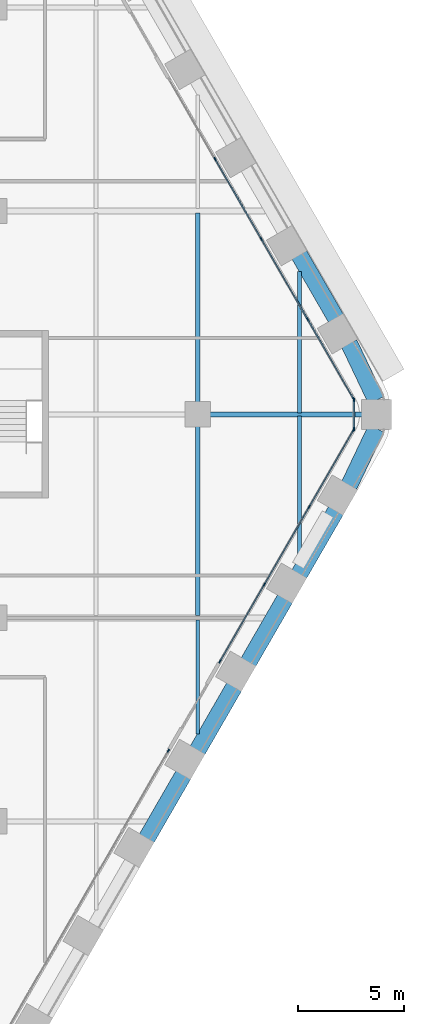
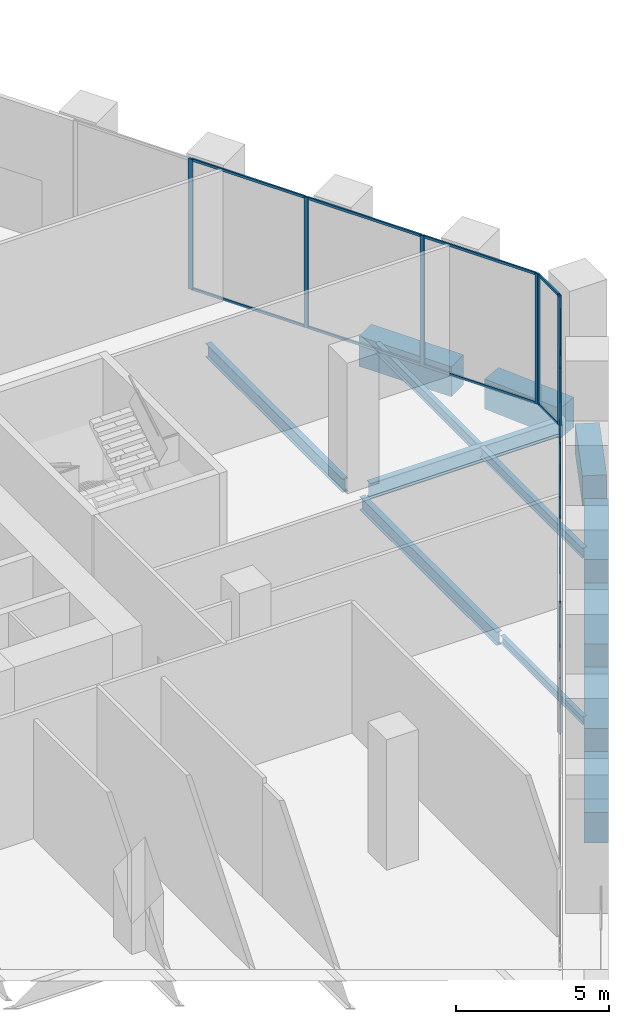
# One storey, part 11 of 27: 25 members, 13 beams, 4 elements without a shape of their own.
"""IFC4 building model written with IfcOpenShell, lengths in metres."""

from ifc_helpers import new_model, si_unit, direction, frame, origin, origin_2d, place, context, subcontext, project, spatial, rectangle, i_section, extrude, material, material_profile, profile_set, type_object, element, aggregate, save


model = new_model("IFC4")

# Units and contexts
model_context = context("Model", 3, precision=1e-05, world=origin(), true_north=direction((0.0, 1.0)))
body_context = subcontext(model_context, "Body", "Model", "MODEL_VIEW")
ifc_project = project(units=[si_unit("LENGTHUNIT", "METRE"), si_unit("AREAUNIT", "SQUARE_METRE"), si_unit("VOLUMEUNIT", "CUBIC_METRE"), si_unit("PLANEANGLEUNIT", "RADIAN"), si_unit("MASSUNIT", "GRAM", prefix="KILO")], contexts=[model_context])

# Site, building, storey
site_placement = place(None, origin())
site = spatial("IfcSite", under=ifc_project, at=site_placement, CompositionType="ELEMENT")
building_placement = place(site_placement, origin())
building = spatial("IfcBuilding", under=site, at=building_placement, Name="Kolab Exchange Tower", CompositionType="ELEMENT")
storey_placement = place(building_placement, frame((0.0, 0.0, 66.39990234375)))
storey = spatial("IfcBuildingStorey", under=building, at=storey_placement, Name="L12", CompositionType="ELEMENT", Elevation=66.39990234375)

# Beams
ifc_material_1 = material(Name="Steel S355", Category="steel")
ifc_material_profile_1 = material_profile(ifc_material_1, i_section(OverallWidth=0.1650390625, OverallDepth=0.31005859375, WebThickness=0.005859375, FlangeThickness=0.009765625, at=origin_2d()), Name="W310X39")
ifc_profile_set_1 = profile_set([ifc_material_profile_1], Name="Steel S355")
beam_type_1 = type_object("IfcBeamType", Name="FLOOR BEAM W310X39", PredefinedType="BEAM", material=ifc_profile_set_1)
beam_1_placement = place(storey_placement, frame((28.800048828125, -15.067626953125, -0.454833984375), z_axis=(0.0, 1.0, 0.0), x_axis=(-1.0, 0.0, 0.0)))
element("IfcBeam", 1, at=beam_1_placement, inside=storey, type_object=beam_type_1, Name="beam/L12/fr/058", PredefinedType="BEAM", context=body_context, shape_type="SweptSolid", body=[
    extrude(i_section(OverallWidth=0.1650390625, OverallDepth=0.31005859375, WebThickness=0.005859375, FlangeThickness=0.009765625, at=origin_2d()), origin(), (0.0, 0.0, 1.0), 5.361572265625),
])
ifc_material_profile_2 = material_profile(ifc_material_1, i_section(OverallWidth=0.177978515625, OverallDepth=0.406982421875, WebThickness=0.0078125, FlangeThickness=0.0126953125, at=origin_2d()), Name="W410X60")
ifc_profile_set_2 = profile_set([ifc_material_profile_2], Name="Steel S355")
beam_type_2 = type_object("IfcBeamType", Name="FLOOR BEAM W410X60", PredefinedType="BEAM", material=ifc_profile_set_2)
for number, where, z_axis, x_axis, name in (
    (2, (33.60009765625, -6.75390625, -0.50341796875), (0.0, 1.0, 0.0), (-1.0, 0.0, 0.0), "beam/L12/fr/062"),
    (3, (33.60009765625, 0.073974609375, -0.50341796875), (0.0, 1.0, 0.0), (-1.0, 0.0, 0.0), "beam/L12/fr/063"),
):
    element("IfcBeam", number, at=place(storey_placement, frame(where, z_axis=z_axis, x_axis=x_axis)), inside=storey, type_object=beam_type_2, Name=name, PredefinedType="BEAM", context=body_context, shape_type="SweptSolid", body=[
        extrude(i_section(OverallWidth=0.177978515625, OverallDepth=0.406982421875, WebThickness=0.0078125, FlangeThickness=0.0126953125, at=origin_2d()), origin(), (0.0, 0.0, 1.0), 6.679931640625),
    ])
ifc_material_profile_3 = material_profile(ifc_material_1, i_section(OverallWidth=0.208984375, OverallDepth=0.532958984375, WebThickness=0.01025390625, FlangeThickness=0.015625, at=origin_2d()), Name="W530X92")
ifc_profile_set_3 = profile_set([ifc_material_profile_3], Name="Steel S355")
beam_type_3 = type_object("IfcBeamType", Name="FLOOR BEAM W530X92", PredefinedType="BEAM", material=ifc_profile_set_3)
for number, where, z_axis, x_axis, name in (
    (4, (28.800048828125, -9.493896484375, -0.56640625), (0.0, 1.0, 0.0), (-1.0, 0.0, 0.0), "beam/L12/fr/059"),
    (5, (28.800048828125, 0.56005859375, -0.56640625), (0.0, 1.0, 0.0), (-1.0, 0.0, 0.0), "beam/L12/fr/060"),
):
    element("IfcBeam", number, at=place(storey_placement, frame(where, z_axis=z_axis, x_axis=x_axis)), inside=storey, type_object=beam_type_3, Name=name, PredefinedType="BEAM", context=body_context, shape_type="SweptSolid", body=[
        extrude(i_section(OverallWidth=0.208984375, OverallDepth=0.532958984375, WebThickness=0.01025390625, FlangeThickness=0.015625, at=origin_2d()), origin(), (0.0, 0.0, 1.0), 8.933837890625),
    ])
ifc_material_profile_4 = material_profile(ifc_material_1, i_section(OverallWidth=0.22802734375, OverallDepth=0.60791015625, WebThickness=0.01123046875, FlangeThickness=0.017333984375, at=origin_2d()), Name="W610X113")
ifc_profile_set_4 = profile_set([ifc_material_profile_4], Name="Steel S355")
beam_type_4 = type_object("IfcBeamType", Name="FLOOR GIRDER W610X113", PredefinedType="BEAM", material=ifc_profile_set_4)
beam_2_placement = place(storey_placement, frame((29.360107421875, 0.0, -0.60400390625), z_axis=(1.0, 0.0, 0.0), x_axis=(0.0, 1.0, 0.0)))
element("IfcBeam", 6, at=beam_2_placement, inside=storey, type_object=beam_type_4, Name="beam/L12/gd/025", PredefinedType="BEAM", context=body_context, shape_type="SweptSolid", body=[
    extrude(i_section(OverallWidth=0.22802734375, OverallDepth=0.60791015625, WebThickness=0.01123046875, FlangeThickness=0.017333984375, at=origin_2d()), origin(), (0.0, 0.0, 1.0), 7.2158203125),
])
ifc_material_2 = material(Name="Concrete C80/95", Category="concrete")
ifc_material_profile_5 = material_profile(ifc_material_2, rectangle(XDim=0.800048828125, YDim=1.199951171875, at=origin_2d()), Name="RC800X1200")
ifc_profile_set_5 = profile_set([ifc_material_profile_5], Name="Concrete C80/95")
beam_type_5 = type_object("IfcBeamType", Name="SPANDREL BEAM 800X1200 C80/95", PredefinedType="BEAM", material=ifc_profile_set_5)
beam_3_placement = place(storey_placement, frame((33.58349609375, 7.542236328125, -0.89990234375), z_axis=(0.500009906705, -0.86601968407, 0.0), x_axis=(0.86601968407, 0.500009906705, 0.0)))
element("IfcBeam", 7, at=beam_3_placement, inside=storey, type_object=beam_type_5, Name="beam/L12/sp/F2-07", PredefinedType="BEAM", context=body_context, shape_type="SweptSolid", body=[
    extrude(rectangle(XDim=0.800048828125, YDim=1.199951171875, at=origin_2d()), origin(), (0.0, 0.0, 1.0), 3.47998046875),
])
for number, where, z_axis, x_axis, name in (
    (8, (35.93798828125, 3.35888671875, -0.89990234375), (0.429555669245, -0.903040379507, 0.0), (0.903040379507, 0.429555669245, 0.0), "beam/L12/sp/F2-08"),
    (9, (37.219970703125, -0.663818359375, -0.89990234375), (-0.429555669245, -0.903040379507, 0.0), (0.903040379507, -0.429555669245, 0.0), "beam/L12/sp/F3-01"),
):
    element("IfcBeam", number, at=place(storey_placement, frame(where, z_axis=z_axis, x_axis=x_axis)), inside=storey, type_object=beam_type_5, Name=name, PredefinedType="BEAM", context=body_context, shape_type="SweptSolid", body=[
        extrude(rectangle(XDim=0.800048828125, YDim=1.199951171875, at=origin_2d()), origin(), (0.0, 0.0, 1.0), 2.984375),
    ])
beam_4_placement = place(storey_placement, frame((35.323486328125, -4.528564453125, -0.89990234375), z_axis=(-0.500009906705, -0.86601968407, 0.0), x_axis=(0.86601968407, -0.500009906705, 0.0)))
element("IfcBeam", 10, at=beam_4_placement, inside=storey, type_object=beam_type_5, Name="beam/L12/sp/F3-02", PredefinedType="BEAM", context=body_context, shape_type="SweptSolid", body=[
    extrude(rectangle(XDim=0.800048828125, YDim=1.199951171875, at=origin_2d()), origin(), (0.0, 0.0, 1.0), 3.47998046875),
])
for number, where, z_axis, x_axis, name in (
    (11, (32.923583984375, -8.685302734375, -0.89990234375), (-0.499979528911, -0.866037222451, 0.0), (0.866037222451, -0.499979528911, 0.0), "beam/L12/sp/F3-03"),
    (12, (30.523681640625, -12.84228515625, -0.89990234375), (-0.499979528911, -0.866037222451, 0.0), (0.866037222451, -0.499979528911, 0.0), "beam/L12/sp/F3-04"),
):
    element("IfcBeam", number, at=place(storey_placement, frame(where, z_axis=z_axis, x_axis=x_axis)), inside=storey, type_object=beam_type_5, Name=name, PredefinedType="BEAM", context=body_context, shape_type="SweptSolid", body=[
        extrude(rectangle(XDim=0.800048828125, YDim=1.199951171875, at=origin_2d()), origin(), (0.0, 0.0, 1.0), 3.480224609375),
    ])
beam_5_placement = place(storey_placement, frame((28.12353515625, -16.999267578125, -0.89990234375), z_axis=(-0.500009906705, -0.86601968407, 0.0), x_axis=(0.86601968407, -0.500009906705, 0.0)))
element("IfcBeam", 13, at=beam_5_placement, inside=storey, type_object=beam_type_5, Name="beam/L12/sp/F3-05", PredefinedType="BEAM", context=body_context, shape_type="SweptSolid", body=[
    extrude(rectangle(XDim=0.800048828125, YDim=1.199951171875, at=origin_2d()), origin(), (0.0, 0.0, 1.0), 3.47998046875),
])

# Curtain wall, members
ifc_material_3 = material(Name="Aluminium EN AW-6063 T6", Category="aluminium")
curtain_wall_type = type_object("IfcCurtainWallType", Name="UNITISED LOW ZONE CURTAIN WALL", PredefinedType="NOTDEFINED", material=ifc_material_3)
curtain_wall_1_placement = place(storey_placement, origin())
curtain_wall_1 = element("IfcCurtainWall", 14, at=curtain_wall_1_placement, inside=storey, type_object=curtain_wall_type, Name="cw/L12/F2-2", PredefinedType="NOTDEFINED")
ifc_material_profile_6 = material_profile(ifc_material_3, rectangle(XDim=0.06005859375, YDim=0.159912109375, at=origin_2d()), Name="RECT 60X160")
ifc_profile_set_6 = profile_set([ifc_material_profile_6], Name="Aluminium EN AW-6063 T6")
member_type_1 = type_object("IfcMemberType", Name="UNITISED LOW ZONE MULLION 60 X 160", PredefinedType="MULLION", material=ifc_profile_set_6)
member_1_placement = place(storey_placement, frame((29.615234375, 12.0556640625, 0.0), z_axis=(0.0, 0.0, 1.0), x_axis=(0.866025422102, 0.499999968274, 0.0)))
member_1 = element("IfcMember", 15, at=member_1_placement, type_object=member_type_1, Name="CW1 mullion 2", PredefinedType="MULLION", context=body_context, shape_type="SweptSolid", body=[
    extrude(rectangle(XDim=0.06005859375, YDim=0.159912109375, at=origin_2d()), origin(), (0.0, 0.0, 1.0), 5.2001953125),
])
member_2_placement = place(storey_placement, frame((31.798583984375, 8.27392578125, 0.0), z_axis=(0.0, 0.0, 1.0), x_axis=(0.866025422102, 0.499999968274, 0.0)))
member_2 = element("IfcMember", 16, at=member_2_placement, type_object=member_type_1, Name="CW1 mullion 3", PredefinedType="MULLION", context=body_context, shape_type="SweptSolid", body=[
    extrude(rectangle(XDim=0.06005859375, YDim=0.159912109375, at=origin_2d()), origin(), (0.0, 0.0, 1.0), 5.2001953125),
])
member_3_placement = place(storey_placement, frame((33.982177734375, 4.491943359375, 0.0), z_axis=(0.0, 0.0, 1.0), x_axis=(0.866025422102, 0.499999968274, 0.0)))
member_3 = element("IfcMember", 17, at=member_3_placement, type_object=member_type_1, Name="CW1 mullion 4", PredefinedType="MULLION", context=body_context, shape_type="SweptSolid", body=[
    extrude(rectangle(XDim=0.06005859375, YDim=0.159912109375, at=origin_2d()), origin(), (0.0, 0.0, 1.0), 5.2001953125),
])
member_4_placement = place(storey_placement, frame((36.150634765625, 0.736083984375, 0.0), z_axis=(0.0, 0.0, 1.0), x_axis=(0.866025422102, 0.499999968274, 0.0)))
member_4 = element("IfcMember", 18, at=member_4_placement, type_object=member_type_1, Name="CW1 mullion 5", PredefinedType="MULLION", context=body_context, shape_type="SweptSolid", body=[
    extrude(rectangle(XDim=0.06005859375, YDim=0.159912109375, at=origin_2d()), origin(), (0.0, 0.0, 1.0), 5.2001953125),
])

curtain_wall_2_placement = place(storey_placement, origin())
curtain_wall_2 = element("IfcCurtainWall", 19, at=curtain_wall_2_placement, inside=storey, type_object=curtain_wall_type, Name="cw/L12/F3-1", PredefinedType="NOTDEFINED")
member_5_placement = place(storey_placement, frame((36.150634765625, -0.736083984375, 0.0), z_axis=(0.0, 0.0, 1.0), x_axis=(0.866025427826, -0.499999958358, 0.0)))
member_5 = element("IfcMember", 20, at=member_5_placement, type_object=member_type_1, Name="CW1 mullion 1", PredefinedType="MULLION", context=body_context, shape_type="SweptSolid", body=[
    extrude(rectangle(XDim=0.06005859375, YDim=0.159912109375, at=origin_2d()), origin(), (0.0, 0.0, 1.0), 5.2001953125),
])
member_6_placement = place(storey_placement, frame((34.054443359375, -4.366943359375, 0.0), z_axis=(0.0, 0.0, 1.0), x_axis=(0.866025427826, -0.499999958358, 0.0)))
member_6 = element("IfcMember", 21, at=member_6_placement, type_object=member_type_1, Name="CW1 mullion 2", PredefinedType="MULLION", context=body_context, shape_type="SweptSolid", body=[
    extrude(rectangle(XDim=0.06005859375, YDim=0.159912109375, at=origin_2d()), origin(), (0.0, 0.0, 1.0), 5.2001953125),
])
member_7_placement = place(storey_placement, frame((31.943115234375, -8.02392578125, 0.0), z_axis=(0.0, 0.0, 1.0), x_axis=(0.866025427826, -0.499999958358, 0.0)))
member_7 = element("IfcMember", 22, at=member_7_placement, type_object=member_type_1, Name="CW1 mullion 3", PredefinedType="MULLION", context=body_context, shape_type="SweptSolid", body=[
    extrude(rectangle(XDim=0.06005859375, YDim=0.159912109375, at=origin_2d()), origin(), (0.0, 0.0, 1.0), 5.2001953125),
])
member_8_placement = place(storey_placement, frame((29.8466796875, -11.65478515625, 0.0), z_axis=(0.0, 0.0, 1.0), x_axis=(0.866025427826, -0.499999958358, 0.0)))
member_8 = element("IfcMember", 23, at=member_8_placement, type_object=member_type_1, Name="CW1 mullion 4", PredefinedType="MULLION", context=body_context, shape_type="SweptSolid", body=[
    extrude(rectangle(XDim=0.06005859375, YDim=0.159912109375, at=origin_2d()), origin(), (0.0, 0.0, 1.0), 5.2001953125),
])

# Curtain wall, member
curtain_wall_3_placement = place(storey_placement, origin())
curtain_wall_3 = element("IfcCurtainWall", 24, at=curtain_wall_3_placement, inside=storey, type_object=curtain_wall_type, Name="cw/L12/F3-2", PredefinedType="NOTDEFINED")
member_9_placement = place(storey_placement, frame((27.416748046875, -15.86376953125, 0.0), z_axis=(0.0, 0.0, 1.0), x_axis=(0.866025397318, -0.5000000112, 0.0)))
member_9 = element("IfcMember", 25, at=member_9_placement, type_object=member_type_1, Name="CW1 mullion 1", PredefinedType="MULLION", context=body_context, shape_type="SweptSolid", body=[
    extrude(rectangle(XDim=0.06005859375, YDim=0.159912109375, at=origin_2d()), origin(), (0.0, 0.0, 1.0), 5.2001953125),
])
aggregate(curtain_wall_3, [member_9])

# Curtain wall, members
curtain_wall_4_placement = place(storey_placement, origin())
curtain_wall_4 = element("IfcCurtainWall", 26, at=curtain_wall_4_placement, inside=storey, type_object=curtain_wall_type, Name="cw/L12/F2F3-corner", PredefinedType="NOTDEFINED")
member_10_placement = place(storey_placement, frame((36.165771484375, 0.679931640625, 0.0), z_axis=(0.0, 0.0, 1.0), x_axis=(1.0, 0.0, 0.0)))
member_10 = element("IfcMember", 27, at=member_10_placement, type_object=member_type_1, Name="CW1 mullion 1", PredefinedType="MULLION", context=body_context, shape_type="SweptSolid", body=[
    extrude(rectangle(XDim=0.06005859375, YDim=0.159912109375, at=origin_2d()), origin(), (0.0, 0.0, 1.0), 5.2001953125),
])
member_11_placement = place(storey_placement, frame((36.165771484375, -0.679931640625, 0.0), z_axis=(0.0, 0.0, 1.0), x_axis=(1.0, 0.0, 0.0)))
member_11 = element("IfcMember", 28, at=member_11_placement, type_object=member_type_1, Name="CW1 mullion 2", PredefinedType="MULLION", context=body_context, shape_type="SweptSolid", body=[
    extrude(rectangle(XDim=0.06005859375, YDim=0.159912109375, at=origin_2d()), origin(), (0.0, 0.0, 1.0), 5.2001953125),
])

# Member
ifc_material_profile_7 = material_profile(ifc_material_3, rectangle(XDim=0.06005859375, YDim=0.10009765625, at=origin_2d()), Name="RECT 60X100")
ifc_profile_set_7 = profile_set([ifc_material_profile_7], Name="Aluminium EN AW-6063 T6")
member_type_2 = type_object("IfcMemberType", Name="UNITISED LOW ZONE TRANSOM 60 X 100", PredefinedType="USERDEFINED", material=ifc_profile_set_7)
member_12_placement = place(storey_placement, frame((29.630126953125, 12.02978515625, 0.030029296875), z_axis=(0.500010313095, -0.866019449435, 0.0), x_axis=(0.866019449435, 0.500010313095, 0.0)))
member_12 = element("IfcMember", 29, at=member_12_placement, type_object=member_type_2, Name="CW1 transom 2.1", ObjectType="TRANSOM", PredefinedType="USERDEFINED", context=body_context, shape_type="SweptSolid", body=[
    extrude(rectangle(XDim=0.06005859375, YDim=0.10009765625, at=origin_2d()), origin(), (0.0, 0.0, 1.0), 4.30712890625),
])

member_13_placement = place(storey_placement, frame((29.630126953125, 12.02978515625, 5.170166015625), z_axis=(0.500010313095, -0.866019449435, 0.0), x_axis=(0.866019449435, 0.500010313095, 0.0)))
member_13 = element("IfcMember", 30, at=member_13_placement, type_object=member_type_2, Name="CW1 transom 2.2", ObjectType="TRANSOM", PredefinedType="USERDEFINED", context=body_context, shape_type="SweptSolid", body=[
    extrude(rectangle(XDim=0.06005859375, YDim=0.10009765625, at=origin_2d()), origin(), (0.0, 0.0, 1.0), 4.30712890625),
])

member_14_placement = place(storey_placement, frame((31.813720703125, 8.247802734375, 0.030029296875), z_axis=(0.499967798808, -0.866043994353, 0.0), x_axis=(0.866043994353, 0.499967798808, 0.0)))
member_14 = element("IfcMember", 31, at=member_14_placement, type_object=member_type_2, Name="CW1 transom 3.1", ObjectType="TRANSOM", PredefinedType="USERDEFINED", context=body_context, shape_type="SweptSolid", body=[
    extrude(rectangle(XDim=0.06005859375, YDim=0.10009765625, at=origin_2d()), origin(), (0.0, 0.0, 1.0), 4.306884765625),
])

member_15_placement = place(storey_placement, frame((31.813720703125, 8.247802734375, 5.170166015625), z_axis=(0.499967798808, -0.866043994353, 0.0), x_axis=(0.866043994353, 0.499967798808, 0.0)))
member_15 = element("IfcMember", 32, at=member_15_placement, type_object=member_type_2, Name="CW1 transom 3.2", ObjectType="TRANSOM", PredefinedType="USERDEFINED", context=body_context, shape_type="SweptSolid", body=[
    extrude(rectangle(XDim=0.06005859375, YDim=0.10009765625, at=origin_2d()), origin(), (0.0, 0.0, 1.0), 4.306884765625),
])

member_16_placement = place(storey_placement, frame((33.9970703125, 4.4658203125, 0.030029296875), z_axis=(0.500043627578, -0.866000213925, 0.0), x_axis=(0.866000213925, 0.500043627578, 0.0)))
member_16 = element("IfcMember", 33, at=member_16_placement, type_object=member_type_2, Name="CW1 transom 4.1", ObjectType="TRANSOM", PredefinedType="USERDEFINED", context=body_context, shape_type="SweptSolid", body=[
    extrude(rectangle(XDim=0.06005859375, YDim=0.10009765625, at=origin_2d()), origin(), (0.0, 0.0, 1.0), 4.27685546875),
])

member_17_placement = place(storey_placement, frame((33.9970703125, 4.4658203125, 5.170166015625), z_axis=(0.500043627578, -0.866000213925, 0.0), x_axis=(0.866000213925, 0.500043627578, 0.0)))
member_17 = element("IfcMember", 34, at=member_17_placement, type_object=member_type_2, Name="CW1 transom 4.2", ObjectType="TRANSOM", PredefinedType="USERDEFINED", context=body_context, shape_type="SweptSolid", body=[
    extrude(rectangle(XDim=0.06005859375, YDim=0.10009765625, at=origin_2d()), origin(), (0.0, 0.0, 1.0), 4.27685546875),
])

aggregate(curtain_wall_1, [member_1, member_2, member_3, member_4, member_12, member_13, member_14, member_15, member_16, member_17])

member_18_placement = place(storey_placement, frame((36.1357421875, -0.761962890625, 0.030029296875), z_axis=(-0.500027577057, -0.866009481578, 0.0), x_axis=(0.866009481578, -0.500027577057, 0.0)))
member_18 = element("IfcMember", 35, at=member_18_placement, type_object=member_type_2, Name="CW1 transom 1.1", ObjectType="TRANSOM", PredefinedType="USERDEFINED", context=body_context, shape_type="SweptSolid", body=[
    extrude(rectangle(XDim=0.06005859375, YDim=0.10009765625, at=origin_2d()), origin(), (0.0, 0.0, 1.0), 4.132568359375),
])

member_19_placement = place(storey_placement, frame((36.1357421875, -0.761962890625, 5.170166015625), z_axis=(-0.500027577057, -0.866009481578, 0.0), x_axis=(0.866009481578, -0.500027577057, 0.0)))
member_19 = element("IfcMember", 36, at=member_19_placement, type_object=member_type_2, Name="CW1 transom 1.2", ObjectType="TRANSOM", PredefinedType="USERDEFINED", context=body_context, shape_type="SweptSolid", body=[
    extrude(rectangle(XDim=0.06005859375, YDim=0.10009765625, at=origin_2d()), origin(), (0.0, 0.0, 1.0), 4.132568359375),
])

member_20_placement = place(storey_placement, frame((34.039306640625, -4.392822265625, 0.030029296875), z_axis=(-0.49999322259, -0.866029316688, 0.0), x_axis=(0.866029316688, -0.49999322259, 0.0)))
member_20 = element("IfcMember", 37, at=member_20_placement, type_object=member_type_2, Name="CW1 transom 2.1", ObjectType="TRANSOM", PredefinedType="USERDEFINED", context=body_context, shape_type="SweptSolid", body=[
    extrude(rectangle(XDim=0.06005859375, YDim=0.10009765625, at=origin_2d()), origin(), (0.0, 0.0, 1.0), 4.16259765625),
])

member_21_placement = place(storey_placement, frame((34.039306640625, -4.392822265625, 5.170166015625), z_axis=(-0.49999322259, -0.866029316688, 0.0), x_axis=(0.866029316688, -0.49999322259, 0.0)))
member_21 = element("IfcMember", 38, at=member_21_placement, type_object=member_type_2, Name="CW1 transom 2.2", ObjectType="TRANSOM", PredefinedType="USERDEFINED", context=body_context, shape_type="SweptSolid", body=[
    extrude(rectangle(XDim=0.06005859375, YDim=0.10009765625, at=origin_2d()), origin(), (0.0, 0.0, 1.0), 4.16259765625),
])

member_22_placement = place(storey_placement, frame((31.927978515625, -8.0498046875, 0.030029296875), z_axis=(-0.500001996123, -0.866024251319, 0.0), x_axis=(0.866024251319, -0.500001996123, 0.0)))
member_22 = element("IfcMember", 39, at=member_22_placement, type_object=member_type_2, Name="CW1 transom 3.1", ObjectType="TRANSOM", PredefinedType="USERDEFINED", context=body_context, shape_type="SweptSolid", body=[
    extrude(rectangle(XDim=0.06005859375, YDim=0.10009765625, at=origin_2d()), origin(), (0.0, 0.0, 1.0), 4.1328125),
])

member_23_placement = place(storey_placement, frame((31.927978515625, -8.0498046875, 5.170166015625), z_axis=(-0.500001996123, -0.866024251319, 0.0), x_axis=(0.866024251319, -0.500001996123, 0.0)))
member_23 = element("IfcMember", 40, at=member_23_placement, type_object=member_type_2, Name="CW1 transom 3.2", ObjectType="TRANSOM", PredefinedType="USERDEFINED", context=body_context, shape_type="SweptSolid", body=[
    extrude(rectangle(XDim=0.06005859375, YDim=0.10009765625, at=origin_2d()), origin(), (0.0, 0.0, 1.0), 4.1328125),
])

aggregate(curtain_wall_2, [member_5, member_6, member_7, member_8, member_18, member_19, member_20, member_21, member_22, member_23])

member_24_placement = place(storey_placement, frame((36.165771484375, 0.64990234375, 0.030029296875), z_axis=(0.0, -1.0, 0.0), x_axis=(1.0, 0.0, 0.0)))
member_24 = element("IfcMember", 41, at=member_24_placement, type_object=member_type_2, Name="CW1 transom 1.1", ObjectType="TRANSOM", PredefinedType="USERDEFINED", context=body_context, shape_type="SweptSolid", body=[
    extrude(rectangle(XDim=0.06005859375, YDim=0.10009765625, at=origin_2d()), origin(), (0.0, 0.0, 1.0), 1.2998046875),
])

member_25_placement = place(storey_placement, frame((36.165771484375, 0.64990234375, 5.170166015625), z_axis=(0.0, -1.0, 0.0), x_axis=(1.0, 0.0, 0.0)))
member_25 = element("IfcMember", 42, at=member_25_placement, type_object=member_type_2, Name="CW1 transom 1.2", ObjectType="TRANSOM", PredefinedType="USERDEFINED", context=body_context, shape_type="SweptSolid", body=[
    extrude(rectangle(XDim=0.06005859375, YDim=0.10009765625, at=origin_2d()), origin(), (0.0, 0.0, 1.0), 1.2998046875),
])

aggregate(curtain_wall_4, [member_10, member_11, member_24, member_25])

save(model, "model.ifc")
